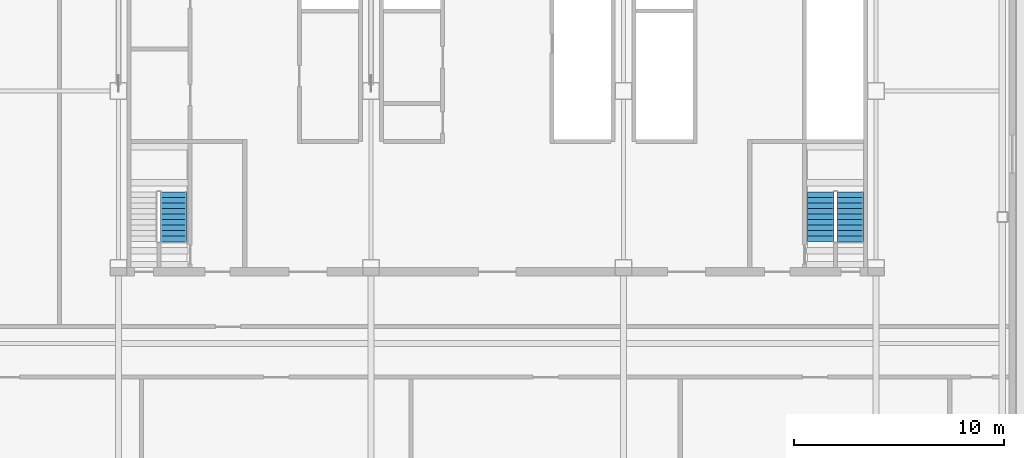
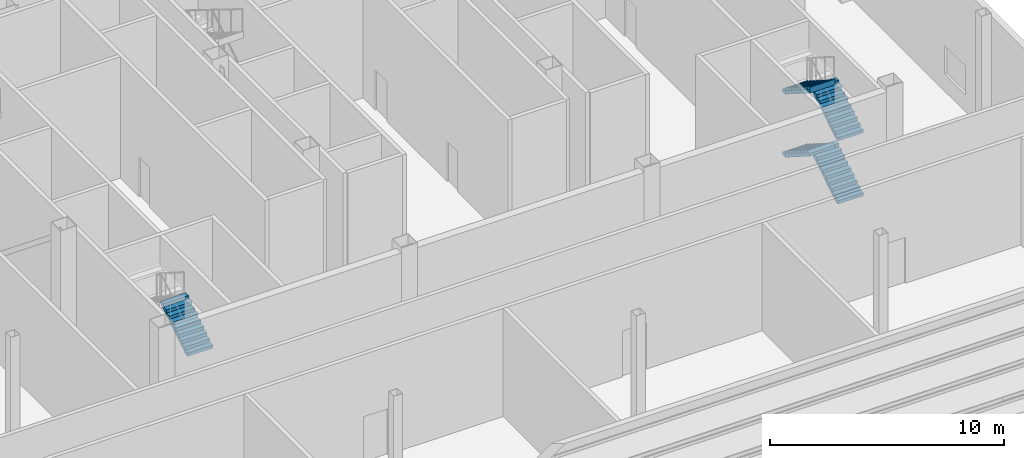
# One storey, part 9 of 14: 5 stair flights, 2 elements without a shape of their own.
"""IFC4 building model written with IfcOpenShell, lengths in metres."""

from ifc_helpers import new_model, si_unit, direction, frame, origin, place, context, subcontext, project, spatial, polyline, outline, extrude, material, type_object, element, aggregate, save


model = new_model("IFC4")

# Units and contexts
model_context = context("Model", 3, precision=1e-05, world=origin(), true_north=direction((0.0, 1.0)))
body_context = subcontext(model_context, "Body", "Model", "MODEL_VIEW")
ifc_project = project(units=[si_unit("LENGTHUNIT", "METRE"), si_unit("AREAUNIT", "SQUARE_METRE"), si_unit("VOLUMEUNIT", "CUBIC_METRE"), si_unit("PLANEANGLEUNIT", "RADIAN"), si_unit("MASSUNIT", "GRAM", prefix="KILO")], contexts=[model_context])

# Site, building, storey
site_placement = place(None, origin())
site = spatial("IfcSite", under=ifc_project, at=site_placement, CompositionType="ELEMENT")
building_placement = place(site_placement, origin())
building = spatial("IfcBuilding", under=site, at=building_placement, Name="Sorahane Residences", CompositionType="ELEMENT")
storey_placement = place(building_placement, frame((0.0, 0.0, 331.199951171875)))
storey = spatial("IfcBuildingStorey", under=building, at=storey_placement, Name="L79", CompositionType="ELEMENT", Elevation=331.199951171875)

# Stair, stair flight
ifc_material_1 = material(Name="Concrete C40", Category="concrete")
stair_type = type_object("IfcStairType", Name="Dog-leg stair 1250 Concrete C40", PredefinedType="HALF_TURN_STAIR", material=ifc_material_1)
stair_1_placement = place(storey_placement, origin())
stair_1 = element("IfcStair", 1, at=stair_1_placement, inside=storey, type_object=stair_type, Name="L79 Stair S4", PredefinedType="HALF_TURN_STAIR")
ifc_material_2 = material(Name="Concrete C40", Category="concrete")
stair_flight_type = type_object("IfcStairFlightType", Name="Stair flight 1250 Concrete C40", PredefinedType="STRAIGHT", material=ifc_material_2)
stair_flight_1_placement = place(storey_placement, frame((8.625, 22.85009765625, 3.300048828125), z_axis=(0.0, 0.0, 1.0), x_axis=(0.0, 1.0, 0.0)))
stair_flight_1 = element("IfcStairFlight", 2, at=stair_flight_1_placement, type_object=stair_flight_type, Name="S4 flight 3", NumberOfRisers=10, NumberOfTreads=9, PredefinedType="STRAIGHT", RiserHeight=0.165, TreadLength=0.26, context=body_context, shape_type="SweptSolid", body=[
    extrude(outline(polyline([(0.0, 0.0), (0.0, 0.001953125), (0.0, 0.004150390625), (0.0, 0.006103515625), (0.0, 0.008056640625), (0.0, 0.01025390625), (0.0, 0.01220703125), (0.0, 0.01416015625), (0.0, 0.016357421875), (0.0, 0.018310546875), (0.0, 0.020263671875), (0.0, 0.0224609375), (0.0, 0.0244140625), (0.0, 0.0263671875), (0.0, 0.028564453125), (0.0, 0.030517578125), (0.0, 0.032470703125), (0.0, 0.03466796875), (0.0, 0.03662109375), (0.0, 0.038818359375), (0.0, 0.040771484375), (0.0, 0.042724609375), (0.0, 0.044921875), (0.0, 0.046875), (0.0, 0.048828125), (0.0, 0.051025390625), (0.0, 0.052978515625), (0.0, 0.054931640625), (0.0, 0.05712890625), (0.0, 0.05908203125), (0.0, 0.06103515625), (0.0, 0.063232421875), (0.0, 0.065185546875), (0.0, 0.067138671875), (0.0, 0.0693359375), (0.0, 0.0712890625), (0.0, 0.0732421875), (0.0, 0.075439453125), (0.0, 0.077392578125), (0.0, 0.079345703125), (0.0, 0.08154296875), (0.0, 0.08349609375), (0.0, 0.08544921875), (0.0, 0.087646484375), (0.0, 0.089599609375), (0.0, 0.091552734375), (0.0, 0.09375), (0.0, 0.095703125), (0.0, 0.09765625), (0.0, 0.099853515625), (0.0, 0.101806640625), (0.0, 0.10400390625), (0.0, 0.10595703125), (0.0, 0.10791015625), (0.0, 0.110107421875), (0.0, 0.112060546875), (0.0, 0.114013671875), (0.0, 0.1162109375), (0.0, 0.1181640625), (0.0, 0.1201171875), (0.0, 0.122314453125), (0.0, 0.124267578125), (0.0, 0.126220703125), (0.0, 0.12841796875), (0.0, 0.13037109375), (0.0, 0.13232421875), (0.0, 0.134521484375), (0.0, 0.136474609375), (0.0, 0.138427734375), (0.0, 0.140625), (0.0, 0.142578125), (0.0, 0.14453125), (0.0, 0.146728515625), (0.0, 0.148681640625), (0.0, 0.150634765625), (0.0, 0.15283203125), (0.0, 0.15478515625), (0.0, 0.15673828125), (0.0, 0.158935546875), (0.0, 0.160888671875), (0.0, 0.162841796875), (0.0, 0.1650390625), (0.260009765625, 0.1650390625), (0.260009765625, 0.330078125), (0.52001953125, 0.330078125), (0.52001953125, 0.4951171875), (0.780029296875, 0.4951171875), (0.780029296875, 0.659912109375), (1.0400390625, 0.659912109375), (1.0400390625, 0.824951171875), (1.300048828125, 0.824951171875), (1.300048828125, 0.989990234375), (1.56005859375, 0.989990234375), (1.56005859375, 1.155029296875), (1.820068359375, 1.155029296875), (1.820068359375, 1.320068359375), (2.080078125, 1.320068359375), (2.080078125, 1.485107421875), (2.340087890625, 1.485107421875), (2.340087890625, 1.64990234375), (2.340087890625, 1.646240234375), (2.340087890625, 1.642333984375), (2.340087890625, 1.638671875), (2.340087890625, 1.634765625), (2.340087890625, 1.631103515625), (2.340087890625, 1.627197265625), (2.340087890625, 1.62353515625), (2.340087890625, 1.61962890625), (2.340087890625, 1.615966796875), (2.340087890625, 1.612060546875), (2.340087890625, 1.608154296875), (2.340087890625, 1.6044921875), (2.340087890625, 1.6005859375), (2.340087890625, 1.596923828125), (2.340087890625, 1.593017578125), (2.340087890625, 1.58935546875), (2.340087890625, 1.58544921875), (2.340087890625, 1.581787109375), (2.340087890625, 1.577880859375), (2.340087890625, 1.57421875), (2.340087890625, 1.5703125), (2.340087890625, 1.566650390625), (2.340087890625, 1.562744140625), (2.340087890625, 1.558837890625), (2.340087890625, 1.55517578125), (2.340087890625, 1.55126953125), (2.340087890625, 1.547607421875), (2.340087890625, 1.543701171875), (2.340087890625, 1.5400390625), (2.340087890625, 1.5361328125), (2.340087890625, 1.532470703125), (2.340087890625, 1.528564453125), (2.340087890625, 1.52490234375), (2.340087890625, 1.52099609375), (2.340087890625, 1.517333984375), (2.340087890625, 1.513427734375), (2.340087890625, 1.509765625), (2.340087890625, 1.505859375), (2.340087890625, 1.501953125), (2.340087890625, 1.498291015625), (2.340087890625, 1.494384765625), (2.340087890625, 1.49072265625), (2.340087890625, 1.48681640625), (2.340087890625, 1.483154296875), (2.340087890625, 1.479248046875), (2.340087890625, 1.4755859375), (2.340087890625, 1.4716796875), (2.340087890625, 1.468017578125), (2.340087890625, 1.464111328125), (2.340087890625, 1.46044921875), (2.340087890625, 1.45654296875), (2.340087890625, 1.45263671875), (2.340087890625, 1.448974609375), (2.340087890625, 1.445068359375), (2.340087890625, 1.44140625), (2.340087890625, 1.4375), (2.340087890625, 1.433837890625), (2.340087890625, 1.429931640625), (2.340087890625, 1.42626953125), (2.340087890625, 1.42236328125), (2.340087890625, 1.418701171875), (2.340087890625, 1.414794921875), (2.340087890625, 1.4111328125), (2.340087890625, 1.4072265625), (2.340087890625, 1.4033203125), (2.340087890625, 1.399658203125), (2.340087890625, 1.395751953125), (2.340087890625, 1.39208984375), (2.340087890625, 1.38818359375), (2.340087890625, 1.384521484375), (2.340087890625, 1.380615234375), (2.340087890625, 1.376953125), (2.340087890625, 1.373046875), (2.340087890625, 1.369384765625), (2.340087890625, 1.365478515625), (2.340087890625, 1.36181640625), (2.340087890625, 1.35791015625), (2.340087890625, 1.35400390625), (2.340087890625, 1.350341796875), (2.340087890625, 1.346435546875), (2.340087890625, 1.3427734375), (2.12841796875, 1.20849609375), (1.916748046875, 1.07421875), (1.705322265625, 0.93994140625), (1.49365234375, 0.8056640625), (1.281982421875, 0.67138671875), (1.070556640625, 0.537109375), (0.85888671875, 0.40283203125), (0.647216796875, 0.2685546875), (0.435791015625, 0.13427734375), (0.22412109375, 0.0), (0.0, 0.0)])), frame((0.0, 0.625, 0.0), z_axis=(0.0, -1.0, 0.0), x_axis=(1.0, 0.0, 0.0)), (0.0, 0.0, 1.0), 1.25),
])
aggregate(stair_1, [stair_flight_1])

# Stair, stair flights
stair_2_placement = place(storey_placement, origin())
stair_2 = element("IfcStair", 3, at=stair_2_placement, inside=storey, type_object=stair_type, Name="L79 Stair S5", PredefinedType="HALF_TURN_STAIR")
stair_flight_2_placement = place(storey_placement, frame((40.77490234375, 22.85009765625, 0.0), z_axis=(0.0, 0.0, 1.0), x_axis=(0.0, 1.0, 0.0)))
stair_flight_2 = element("IfcStairFlight", 4, at=stair_flight_2_placement, type_object=stair_flight_type, Name="S5 flight 1", NumberOfRisers=10, NumberOfTreads=9, PredefinedType="STRAIGHT", RiserHeight=0.165, TreadLength=0.26, context=body_context, shape_type="SweptSolid", body=[
    extrude(outline(polyline([(-0.00146484375, 0.0), (-0.00146484375, 0.001953125), (-0.00146484375, 0.004150390625), (-0.00146484375, 0.006103515625), (-0.00146484375, 0.008056640625), (-0.00146484375, 0.01025390625), (-0.00146484375, 0.01220703125), (-0.00146484375, 0.01416015625), (-0.00146484375, 0.016357421875), (-0.00146484375, 0.018310546875), (-0.00146484375, 0.020263671875), (-0.00146484375, 0.0224609375), (-0.00146484375, 0.0244140625), (-0.00146484375, 0.0263671875), (-0.00146484375, 0.028564453125), (-0.00146484375, 0.030517578125), (-0.00146484375, 0.032470703125), (-0.00146484375, 0.03466796875), (-0.00146484375, 0.03662109375), (-0.00146484375, 0.038818359375), (-0.00146484375, 0.040771484375), (-0.00146484375, 0.042724609375), (-0.00146484375, 0.044921875), (-0.00146484375, 0.046875), (-0.00146484375, 0.048828125), (-0.00146484375, 0.051025390625), (-0.00146484375, 0.052978515625), (-0.00146484375, 0.054931640625), (-0.00146484375, 0.05712890625), (-0.00146484375, 0.05908203125), (-0.00146484375, 0.06103515625), (-0.00146484375, 0.063232421875), (-0.00146484375, 0.065185546875), (-0.00146484375, 0.067138671875), (-0.00146484375, 0.0693359375), (-0.00146484375, 0.0712890625), (-0.00146484375, 0.0732421875), (-0.00146484375, 0.075439453125), (-0.00146484375, 0.077392578125), (-0.00146484375, 0.079345703125), (-0.00146484375, 0.08154296875), (-0.00146484375, 0.08349609375), (-0.00146484375, 0.08544921875), (-0.00146484375, 0.087646484375), (-0.00146484375, 0.089599609375), (-0.00146484375, 0.091552734375), (-0.00146484375, 0.09375), (-0.00146484375, 0.095703125), (-0.00146484375, 0.09765625), (-0.00146484375, 0.099853515625), (-0.00146484375, 0.101806640625), (-0.00146484375, 0.10400390625), (-0.00146484375, 0.10595703125), (-0.00146484375, 0.10791015625), (-0.00146484375, 0.110107421875), (-0.00146484375, 0.112060546875), (-0.00146484375, 0.114013671875), (-0.00146484375, 0.1162109375), (-0.00146484375, 0.1181640625), (-0.00146484375, 0.1201171875), (-0.00146484375, 0.122314453125), (-0.00146484375, 0.124267578125), (-0.00146484375, 0.126220703125), (-0.00146484375, 0.12841796875), (-0.00146484375, 0.13037109375), (-0.00146484375, 0.13232421875), (-0.00146484375, 0.134521484375), (-0.00146484375, 0.136474609375), (-0.00146484375, 0.138427734375), (-0.00146484375, 0.140625), (-0.00146484375, 0.142578125), (-0.00146484375, 0.14453125), (-0.00146484375, 0.146728515625), (-0.00146484375, 0.148681640625), (-0.00146484375, 0.150634765625), (-0.00146484375, 0.15283203125), (-0.00146484375, 0.15478515625), (-0.00146484375, 0.15673828125), (-0.00146484375, 0.158935546875), (-0.00146484375, 0.160888671875), (-0.00146484375, 0.162841796875), (-0.00146484375, 0.1650390625), (0.0, 0.1650390625), (0.260009765625, 0.1650390625), (0.260009765625, 0.330078125), (0.52001953125, 0.330078125), (0.52001953125, 0.4951171875), (0.780029296875, 0.4951171875), (0.780029296875, 0.659912109375), (1.0400390625, 0.659912109375), (1.0400390625, 0.824951171875), (1.300048828125, 0.824951171875), (1.300048828125, 0.989990234375), (1.56005859375, 0.989990234375), (1.56005859375, 1.155029296875), (1.820068359375, 1.155029296875), (1.820068359375, 1.320068359375), (2.080078125, 1.320068359375), (2.080078125, 1.485107421875), (2.340087890625, 1.485107421875), (2.340087890625, 1.64990234375), (2.340087890625, 1.646240234375), (2.340087890625, 1.642333984375), (2.340087890625, 1.638671875), (2.340087890625, 1.634765625), (2.340087890625, 1.631103515625), (2.340087890625, 1.627197265625), (2.340087890625, 1.62353515625), (2.340087890625, 1.61962890625), (2.340087890625, 1.615966796875), (2.340087890625, 1.612060546875), (2.340087890625, 1.608154296875), (2.340087890625, 1.6044921875), (2.340087890625, 1.6005859375), (2.340087890625, 1.596923828125), (2.340087890625, 1.593017578125), (2.340087890625, 1.58935546875), (2.340087890625, 1.58544921875), (2.340087890625, 1.581787109375), (2.340087890625, 1.577880859375), (2.340087890625, 1.57421875), (2.340087890625, 1.5703125), (2.340087890625, 1.566650390625), (2.340087890625, 1.562744140625), (2.340087890625, 1.558837890625), (2.340087890625, 1.55517578125), (2.340087890625, 1.55126953125), (2.340087890625, 1.547607421875), (2.340087890625, 1.543701171875), (2.340087890625, 1.5400390625), (2.340087890625, 1.5361328125), (2.340087890625, 1.532470703125), (2.340087890625, 1.528564453125), (2.340087890625, 1.52490234375), (2.340087890625, 1.52099609375), (2.340087890625, 1.517333984375), (2.340087890625, 1.513427734375), (2.340087890625, 1.509765625), (2.340087890625, 1.505859375), (2.340087890625, 1.501953125), (2.340087890625, 1.498291015625), (2.340087890625, 1.494384765625), (2.340087890625, 1.49072265625), (2.340087890625, 1.48681640625), (2.340087890625, 1.483154296875), (2.340087890625, 1.479248046875), (2.340087890625, 1.4755859375), (2.340087890625, 1.4716796875), (2.340087890625, 1.468017578125), (2.340087890625, 1.464111328125), (2.340087890625, 1.46044921875), (2.340087890625, 1.45654296875), (2.340087890625, 1.45263671875), (2.340087890625, 1.448974609375), (2.340087890625, 1.445068359375), (2.340087890625, 1.44140625), (2.340087890625, 1.4375), (2.340087890625, 1.433837890625), (2.340087890625, 1.429931640625), (2.340087890625, 1.42626953125), (2.340087890625, 1.42236328125), (2.340087890625, 1.418701171875), (2.340087890625, 1.414794921875), (2.340087890625, 1.4111328125), (2.340087890625, 1.4072265625), (2.340087890625, 1.4033203125), (2.340087890625, 1.399658203125), (2.340087890625, 1.395751953125), (2.340087890625, 1.39208984375), (2.340087890625, 1.38818359375), (2.340087890625, 1.384521484375), (2.340087890625, 1.380615234375), (2.340087890625, 1.376953125), (2.340087890625, 1.373046875), (2.340087890625, 1.369384765625), (2.340087890625, 1.365478515625), (2.340087890625, 1.36181640625), (2.340087890625, 1.35791015625), (2.340087890625, 1.35400390625), (2.340087890625, 1.350341796875), (2.340087890625, 1.346435546875), (2.340087890625, 1.3427734375), (2.147705078125, 1.220703125), (1.955322265625, 1.0986328125), (1.762939453125, 0.9765625), (1.570556640625, 0.8544921875), (1.378173828125, 0.732421875), (1.185791015625, 0.6103515625), (0.99365234375, 0.48828125), (0.80126953125, 0.3662109375), (0.60888671875, 0.244140625), (0.41650390625, 0.1220703125), (0.22412109375, 0.0), (-0.00146484375, 0.0)])), frame((0.0, 0.625, 0.0), z_axis=(0.0, -1.0, 0.0), x_axis=(1.0, 0.0, 0.0)), (0.0, 0.0, 1.0), 1.25),
])
stair_flight_3_placement = place(storey_placement, frame((39.375, 25.18994140625, 1.650146484375), z_axis=(0.0, 0.0, 1.0), x_axis=(0.0, -1.0, 0.0)))
stair_flight_3 = element("IfcStairFlight", 5, at=stair_flight_3_placement, type_object=stair_flight_type, Name="S5 flight 2", NumberOfRisers=10, NumberOfTreads=9, PredefinedType="STRAIGHT", RiserHeight=0.165, TreadLength=0.26, context=body_context, shape_type="SweptSolid", body=[
    extrude(outline(polyline([(0.0, 0.0), (0.0, 0.001953125), (0.0, 0.004150390625), (0.0, 0.006103515625), (0.0, 0.008056640625), (0.0, 0.01025390625), (0.0, 0.01220703125), (0.0, 0.01416015625), (0.0, 0.016357421875), (0.0, 0.018310546875), (0.0, 0.020263671875), (0.0, 0.0224609375), (0.0, 0.0244140625), (0.0, 0.0263671875), (0.0, 0.028564453125), (0.0, 0.030517578125), (0.0, 0.032470703125), (0.0, 0.03466796875), (0.0, 0.03662109375), (0.0, 0.038818359375), (0.0, 0.040771484375), (0.0, 0.042724609375), (0.0, 0.044921875), (0.0, 0.046875), (0.0, 0.048828125), (0.0, 0.051025390625), (0.0, 0.052978515625), (0.0, 0.054931640625), (0.0, 0.05712890625), (0.0, 0.05908203125), (0.0, 0.06103515625), (0.0, 0.063232421875), (0.0, 0.065185546875), (0.0, 0.067138671875), (0.0, 0.0693359375), (0.0, 0.0712890625), (0.0, 0.0732421875), (0.0, 0.075439453125), (0.0, 0.077392578125), (0.0, 0.079345703125), (0.0, 0.08154296875), (0.0, 0.08349609375), (0.0, 0.08544921875), (0.0, 0.087646484375), (0.0, 0.089599609375), (0.0, 0.091552734375), (0.0, 0.09375), (0.0, 0.095703125), (0.0, 0.09765625), (0.0, 0.099853515625), (0.0, 0.101806640625), (0.0, 0.10400390625), (0.0, 0.10595703125), (0.0, 0.10791015625), (0.0, 0.110107421875), (0.0, 0.112060546875), (0.0, 0.114013671875), (0.0, 0.1162109375), (0.0, 0.1181640625), (0.0, 0.1201171875), (0.0, 0.122314453125), (0.0, 0.124267578125), (0.0, 0.126220703125), (0.0, 0.12841796875), (0.0, 0.13037109375), (0.0, 0.13232421875), (0.0, 0.134521484375), (0.0, 0.136474609375), (0.0, 0.138427734375), (0.0, 0.140625), (0.0, 0.142578125), (0.0, 0.14453125), (0.0, 0.146728515625), (0.0, 0.148681640625), (0.0, 0.150634765625), (0.0, 0.15283203125), (0.0, 0.15478515625), (0.0, 0.15673828125), (0.0, 0.158935546875), (0.0, 0.160888671875), (0.0, 0.162841796875), (0.0, 0.1650390625), (0.260009765625, 0.1650390625), (0.260009765625, 0.330078125), (0.52001953125, 0.330078125), (0.52001953125, 0.4951171875), (0.780029296875, 0.4951171875), (0.780029296875, 0.659912109375), (1.0400390625, 0.659912109375), (1.0400390625, 0.824951171875), (1.300048828125, 0.824951171875), (1.300048828125, 0.989990234375), (1.56005859375, 0.989990234375), (1.56005859375, 1.155029296875), (1.820068359375, 1.155029296875), (1.820068359375, 1.320068359375), (2.080078125, 1.320068359375), (2.080078125, 1.485107421875), (2.340087890625, 1.485107421875), (2.340087890625, 1.64990234375), (2.340087890625, 1.646240234375), (2.340087890625, 1.642333984375), (2.340087890625, 1.638671875), (2.340087890625, 1.634765625), (2.340087890625, 1.631103515625), (2.340087890625, 1.627197265625), (2.340087890625, 1.62353515625), (2.340087890625, 1.61962890625), (2.340087890625, 1.615966796875), (2.340087890625, 1.612060546875), (2.340087890625, 1.608154296875), (2.340087890625, 1.6044921875), (2.340087890625, 1.6005859375), (2.340087890625, 1.596923828125), (2.340087890625, 1.593017578125), (2.340087890625, 1.58935546875), (2.340087890625, 1.58544921875), (2.340087890625, 1.581787109375), (2.340087890625, 1.577880859375), (2.340087890625, 1.57421875), (2.340087890625, 1.5703125), (2.340087890625, 1.566650390625), (2.340087890625, 1.562744140625), (2.340087890625, 1.558837890625), (2.340087890625, 1.55517578125), (2.340087890625, 1.55126953125), (2.340087890625, 1.547607421875), (2.340087890625, 1.543701171875), (2.340087890625, 1.5400390625), (2.340087890625, 1.5361328125), (2.340087890625, 1.532470703125), (2.340087890625, 1.528564453125), (2.340087890625, 1.52490234375), (2.340087890625, 1.52099609375), (2.340087890625, 1.517333984375), (2.340087890625, 1.513427734375), (2.340087890625, 1.509765625), (2.340087890625, 1.505859375), (2.340087890625, 1.501953125), (2.340087890625, 1.498291015625), (2.340087890625, 1.494384765625), (2.340087890625, 1.49072265625), (2.340087890625, 1.48681640625), (2.340087890625, 1.483154296875), (2.340087890625, 1.479248046875), (2.340087890625, 1.4755859375), (2.340087890625, 1.4716796875), (2.340087890625, 1.468017578125), (2.340087890625, 1.464111328125), (2.340087890625, 1.46044921875), (2.340087890625, 1.45654296875), (2.340087890625, 1.45263671875), (2.340087890625, 1.448974609375), (2.340087890625, 1.445068359375), (2.340087890625, 1.44140625), (2.340087890625, 1.4375), (2.340087890625, 1.433837890625), (2.340087890625, 1.429931640625), (2.340087890625, 1.42626953125), (2.340087890625, 1.42236328125), (2.340087890625, 1.418701171875), (2.340087890625, 1.414794921875), (2.340087890625, 1.4111328125), (2.340087890625, 1.4072265625), (2.340087890625, 1.4033203125), (2.340087890625, 1.399658203125), (2.340087890625, 1.395751953125), (2.340087890625, 1.39208984375), (2.340087890625, 1.38818359375), (2.340087890625, 1.384521484375), (2.340087890625, 1.380615234375), (2.340087890625, 1.376953125), (2.340087890625, 1.373046875), (2.340087890625, 1.369384765625), (2.340087890625, 1.365478515625), (2.340087890625, 1.36181640625), (2.340087890625, 1.35791015625), (2.340087890625, 1.35400390625), (2.340087890625, 1.350341796875), (2.340087890625, 1.346435546875), (2.340087890625, 1.3427734375), (2.12841796875, 1.20849609375), (1.916748046875, 1.07421875), (1.705322265625, 0.93994140625), (1.49365234375, 0.8056640625), (1.281982421875, 0.67138671875), (1.070556640625, 0.537109375), (0.85888671875, 0.40283203125), (0.647216796875, 0.2685546875), (0.435791015625, 0.13427734375), (0.22412109375, 0.0), (0.0, 0.0)])), frame((0.0, 0.625, 0.0), z_axis=(0.0, -1.0, 0.0), x_axis=(1.0, 0.0, 0.0)), (0.0, 0.0, 1.0), 1.25),
])
stair_flight_4_placement = place(storey_placement, frame((40.77490234375, 22.85009765625, 3.300048828125), z_axis=(0.0, 0.0, 1.0), x_axis=(0.0, 1.0, 0.0)))
stair_flight_4 = element("IfcStairFlight", 6, at=stair_flight_4_placement, type_object=stair_flight_type, Name="S5 flight 3", NumberOfRisers=10, NumberOfTreads=9, PredefinedType="STRAIGHT", RiserHeight=0.165, TreadLength=0.26, context=body_context, shape_type="SweptSolid", body=[
    extrude(outline(polyline([(0.0, 0.0), (0.0, 0.001953125), (0.0, 0.004150390625), (0.0, 0.006103515625), (0.0, 0.008056640625), (0.0, 0.01025390625), (0.0, 0.01220703125), (0.0, 0.01416015625), (0.0, 0.016357421875), (0.0, 0.018310546875), (0.0, 0.020263671875), (0.0, 0.0224609375), (0.0, 0.0244140625), (0.0, 0.0263671875), (0.0, 0.028564453125), (0.0, 0.030517578125), (0.0, 0.032470703125), (0.0, 0.03466796875), (0.0, 0.03662109375), (0.0, 0.038818359375), (0.0, 0.040771484375), (0.0, 0.042724609375), (0.0, 0.044921875), (0.0, 0.046875), (0.0, 0.048828125), (0.0, 0.051025390625), (0.0, 0.052978515625), (0.0, 0.054931640625), (0.0, 0.05712890625), (0.0, 0.05908203125), (0.0, 0.06103515625), (0.0, 0.063232421875), (0.0, 0.065185546875), (0.0, 0.067138671875), (0.0, 0.0693359375), (0.0, 0.0712890625), (0.0, 0.0732421875), (0.0, 0.075439453125), (0.0, 0.077392578125), (0.0, 0.079345703125), (0.0, 0.08154296875), (0.0, 0.08349609375), (0.0, 0.08544921875), (0.0, 0.087646484375), (0.0, 0.089599609375), (0.0, 0.091552734375), (0.0, 0.09375), (0.0, 0.095703125), (0.0, 0.09765625), (0.0, 0.099853515625), (0.0, 0.101806640625), (0.0, 0.10400390625), (0.0, 0.10595703125), (0.0, 0.10791015625), (0.0, 0.110107421875), (0.0, 0.112060546875), (0.0, 0.114013671875), (0.0, 0.1162109375), (0.0, 0.1181640625), (0.0, 0.1201171875), (0.0, 0.122314453125), (0.0, 0.124267578125), (0.0, 0.126220703125), (0.0, 0.12841796875), (0.0, 0.13037109375), (0.0, 0.13232421875), (0.0, 0.134521484375), (0.0, 0.136474609375), (0.0, 0.138427734375), (0.0, 0.140625), (0.0, 0.142578125), (0.0, 0.14453125), (0.0, 0.146728515625), (0.0, 0.148681640625), (0.0, 0.150634765625), (0.0, 0.15283203125), (0.0, 0.15478515625), (0.0, 0.15673828125), (0.0, 0.158935546875), (0.0, 0.160888671875), (0.0, 0.162841796875), (0.0, 0.1650390625), (0.260009765625, 0.1650390625), (0.260009765625, 0.330078125), (0.52001953125, 0.330078125), (0.52001953125, 0.4951171875), (0.780029296875, 0.4951171875), (0.780029296875, 0.659912109375), (1.0400390625, 0.659912109375), (1.0400390625, 0.824951171875), (1.300048828125, 0.824951171875), (1.300048828125, 0.989990234375), (1.56005859375, 0.989990234375), (1.56005859375, 1.155029296875), (1.820068359375, 1.155029296875), (1.820068359375, 1.320068359375), (2.080078125, 1.320068359375), (2.080078125, 1.485107421875), (2.340087890625, 1.485107421875), (2.340087890625, 1.64990234375), (2.340087890625, 1.646240234375), (2.340087890625, 1.642333984375), (2.340087890625, 1.638671875), (2.340087890625, 1.634765625), (2.340087890625, 1.631103515625), (2.340087890625, 1.627197265625), (2.340087890625, 1.62353515625), (2.340087890625, 1.61962890625), (2.340087890625, 1.615966796875), (2.340087890625, 1.612060546875), (2.340087890625, 1.608154296875), (2.340087890625, 1.6044921875), (2.340087890625, 1.6005859375), (2.340087890625, 1.596923828125), (2.340087890625, 1.593017578125), (2.340087890625, 1.58935546875), (2.340087890625, 1.58544921875), (2.340087890625, 1.581787109375), (2.340087890625, 1.577880859375), (2.340087890625, 1.57421875), (2.340087890625, 1.5703125), (2.340087890625, 1.566650390625), (2.340087890625, 1.562744140625), (2.340087890625, 1.558837890625), (2.340087890625, 1.55517578125), (2.340087890625, 1.55126953125), (2.340087890625, 1.547607421875), (2.340087890625, 1.543701171875), (2.340087890625, 1.5400390625), (2.340087890625, 1.5361328125), (2.340087890625, 1.532470703125), (2.340087890625, 1.528564453125), (2.340087890625, 1.52490234375), (2.340087890625, 1.52099609375), (2.340087890625, 1.517333984375), (2.340087890625, 1.513427734375), (2.340087890625, 1.509765625), (2.340087890625, 1.505859375), (2.340087890625, 1.501953125), (2.340087890625, 1.498291015625), (2.340087890625, 1.494384765625), (2.340087890625, 1.49072265625), (2.340087890625, 1.48681640625), (2.340087890625, 1.483154296875), (2.340087890625, 1.479248046875), (2.340087890625, 1.4755859375), (2.340087890625, 1.4716796875), (2.340087890625, 1.468017578125), (2.340087890625, 1.464111328125), (2.340087890625, 1.46044921875), (2.340087890625, 1.45654296875), (2.340087890625, 1.45263671875), (2.340087890625, 1.448974609375), (2.340087890625, 1.445068359375), (2.340087890625, 1.44140625), (2.340087890625, 1.4375), (2.340087890625, 1.433837890625), (2.340087890625, 1.429931640625), (2.340087890625, 1.42626953125), (2.340087890625, 1.42236328125), (2.340087890625, 1.418701171875), (2.340087890625, 1.414794921875), (2.340087890625, 1.4111328125), (2.340087890625, 1.4072265625), (2.340087890625, 1.4033203125), (2.340087890625, 1.399658203125), (2.340087890625, 1.395751953125), (2.340087890625, 1.39208984375), (2.340087890625, 1.38818359375), (2.340087890625, 1.384521484375), (2.340087890625, 1.380615234375), (2.340087890625, 1.376953125), (2.340087890625, 1.373046875), (2.340087890625, 1.369384765625), (2.340087890625, 1.365478515625), (2.340087890625, 1.36181640625), (2.340087890625, 1.35791015625), (2.340087890625, 1.35400390625), (2.340087890625, 1.350341796875), (2.340087890625, 1.346435546875), (2.340087890625, 1.3427734375), (2.12841796875, 1.20849609375), (1.916748046875, 1.07421875), (1.705322265625, 0.93994140625), (1.49365234375, 0.8056640625), (1.281982421875, 0.67138671875), (1.070556640625, 0.537109375), (0.85888671875, 0.40283203125), (0.647216796875, 0.2685546875), (0.435791015625, 0.13427734375), (0.22412109375, 0.0), (0.0, 0.0)])), frame((0.0, 0.625, 0.0), z_axis=(0.0, -1.0, 0.0), x_axis=(1.0, 0.0, 0.0)), (0.0, 0.0, 1.0), 1.25),
])
stair_flight_5_placement = place(storey_placement, frame((39.375, 25.18994140625, 4.949951171875), z_axis=(0.0, 0.0, 1.0), x_axis=(0.0, -1.0, 0.0)))
stair_flight_5 = element("IfcStairFlight", 7, at=stair_flight_5_placement, type_object=stair_flight_type, Name="S5 flight 4", NumberOfRisers=10, NumberOfTreads=9, PredefinedType="STRAIGHT", RiserHeight=0.165, TreadLength=0.26, context=body_context, shape_type="SweptSolid", body=[
    extrude(outline(polyline([(0.0, 0.0), (0.0, 0.001953125), (0.0, 0.004150390625), (0.0, 0.006103515625), (0.0, 0.008056640625), (0.0, 0.01025390625), (0.0, 0.01220703125), (0.0, 0.01416015625), (0.0, 0.016357421875), (0.0, 0.018310546875), (0.0, 0.020263671875), (0.0, 0.0224609375), (0.0, 0.0244140625), (0.0, 0.0263671875), (0.0, 0.028564453125), (0.0, 0.030517578125), (0.0, 0.032470703125), (0.0, 0.03466796875), (0.0, 0.03662109375), (0.0, 0.038818359375), (0.0, 0.040771484375), (0.0, 0.042724609375), (0.0, 0.044921875), (0.0, 0.046875), (0.0, 0.048828125), (0.0, 0.051025390625), (0.0, 0.052978515625), (0.0, 0.054931640625), (0.0, 0.05712890625), (0.0, 0.05908203125), (0.0, 0.06103515625), (0.0, 0.063232421875), (0.0, 0.065185546875), (0.0, 0.067138671875), (0.0, 0.0693359375), (0.0, 0.0712890625), (0.0, 0.0732421875), (0.0, 0.075439453125), (0.0, 0.077392578125), (0.0, 0.079345703125), (0.0, 0.08154296875), (0.0, 0.08349609375), (0.0, 0.08544921875), (0.0, 0.087646484375), (0.0, 0.089599609375), (0.0, 0.091552734375), (0.0, 0.09375), (0.0, 0.095703125), (0.0, 0.09765625), (0.0, 0.099853515625), (0.0, 0.101806640625), (0.0, 0.10400390625), (0.0, 0.10595703125), (0.0, 0.10791015625), (0.0, 0.110107421875), (0.0, 0.112060546875), (0.0, 0.114013671875), (0.0, 0.1162109375), (0.0, 0.1181640625), (0.0, 0.1201171875), (0.0, 0.122314453125), (0.0, 0.124267578125), (0.0, 0.126220703125), (0.0, 0.12841796875), (0.0, 0.13037109375), (0.0, 0.13232421875), (0.0, 0.134521484375), (0.0, 0.136474609375), (0.0, 0.138427734375), (0.0, 0.140625), (0.0, 0.142578125), (0.0, 0.14453125), (0.0, 0.146728515625), (0.0, 0.148681640625), (0.0, 0.150634765625), (0.0, 0.15283203125), (0.0, 0.15478515625), (0.0, 0.15673828125), (0.0, 0.158935546875), (0.0, 0.160888671875), (0.0, 0.162841796875), (0.0, 0.1650390625), (0.260009765625, 0.1650390625), (0.260009765625, 0.330078125), (0.52001953125, 0.330078125), (0.52001953125, 0.4951171875), (0.780029296875, 0.4951171875), (0.780029296875, 0.659912109375), (1.0400390625, 0.659912109375), (1.0400390625, 0.824951171875), (1.300048828125, 0.824951171875), (1.300048828125, 0.989990234375), (1.56005859375, 0.989990234375), (1.56005859375, 1.155029296875), (1.820068359375, 1.155029296875), (1.820068359375, 1.320068359375), (2.080078125, 1.320068359375), (2.080078125, 1.485107421875), (2.340087890625, 1.485107421875), (2.340087890625, 1.64990234375), (2.341552734375, 1.64990234375), (2.341552734375, 1.646240234375), (2.341552734375, 1.642333984375), (2.341552734375, 1.638671875), (2.341552734375, 1.634765625), (2.341552734375, 1.631103515625), (2.341552734375, 1.627197265625), (2.341552734375, 1.62353515625), (2.341552734375, 1.61962890625), (2.341552734375, 1.615966796875), (2.341552734375, 1.612060546875), (2.341552734375, 1.608154296875), (2.341552734375, 1.6044921875), (2.341552734375, 1.6005859375), (2.341552734375, 1.596923828125), (2.341552734375, 1.593017578125), (2.341552734375, 1.58935546875), (2.341552734375, 1.58544921875), (2.341552734375, 1.581787109375), (2.341552734375, 1.577880859375), (2.341552734375, 1.57421875), (2.341552734375, 1.5703125), (2.341552734375, 1.566650390625), (2.341552734375, 1.562744140625), (2.341552734375, 1.558837890625), (2.341552734375, 1.55517578125), (2.341552734375, 1.55126953125), (2.341552734375, 1.547607421875), (2.341552734375, 1.543701171875), (2.341552734375, 1.5400390625), (2.341552734375, 1.5361328125), (2.341552734375, 1.532470703125), (2.341552734375, 1.528564453125), (2.341552734375, 1.52490234375), (2.341552734375, 1.52099609375), (2.341552734375, 1.517333984375), (2.341552734375, 1.513427734375), (2.341552734375, 1.509765625), (2.341552734375, 1.505859375), (2.341552734375, 1.501953125), (2.341552734375, 1.498291015625), (2.341552734375, 1.494384765625), (2.341552734375, 1.49072265625), (2.341552734375, 1.48681640625), (2.341552734375, 1.483154296875), (2.341552734375, 1.479248046875), (2.341552734375, 1.4755859375), (2.341552734375, 1.4716796875), (2.341552734375, 1.468017578125), (2.341552734375, 1.464111328125), (2.341552734375, 1.46044921875), (2.341552734375, 1.45654296875), (2.341552734375, 1.45263671875), (2.341552734375, 1.448974609375), (2.341552734375, 1.445068359375), (2.341552734375, 1.44140625), (2.341552734375, 1.4375), (2.341552734375, 1.433837890625), (2.341552734375, 1.429931640625), (2.341552734375, 1.42626953125), (2.341552734375, 1.42236328125), (2.341552734375, 1.418701171875), (2.341552734375, 1.414794921875), (2.341552734375, 1.4111328125), (2.341552734375, 1.4072265625), (2.341552734375, 1.4033203125), (2.341552734375, 1.399658203125), (2.341552734375, 1.395751953125), (2.341552734375, 1.39208984375), (2.341552734375, 1.38818359375), (2.341552734375, 1.384521484375), (2.341552734375, 1.380615234375), (2.341552734375, 1.376953125), (2.341552734375, 1.373046875), (2.341552734375, 1.369384765625), (2.341552734375, 1.365478515625), (2.341552734375, 1.36181640625), (2.341552734375, 1.35791015625), (2.341552734375, 1.35400390625), (2.341552734375, 1.350341796875), (2.341552734375, 1.346435546875), (2.341552734375, 1.3427734375), (2.14892578125, 1.220703125), (1.95654296875, 1.0986328125), (1.76416015625, 0.9765625), (1.571533203125, 0.8544921875), (1.379150390625, 0.732421875), (1.1865234375, 0.6103515625), (0.994140625, 0.48828125), (0.801513671875, 0.3662109375), (0.609130859375, 0.244140625), (0.416748046875, 0.1220703125), (0.22412109375, 0.0), (0.0, 0.0)])), frame((0.0, 0.625, 0.0), z_axis=(0.0, -1.0, 0.0), x_axis=(1.0, 0.0, 0.0)), (0.0, 0.0, 1.0), 1.25),
])
aggregate(stair_2, [stair_flight_2, stair_flight_3, stair_flight_4, stair_flight_5])

save(model, "model.ifc")
